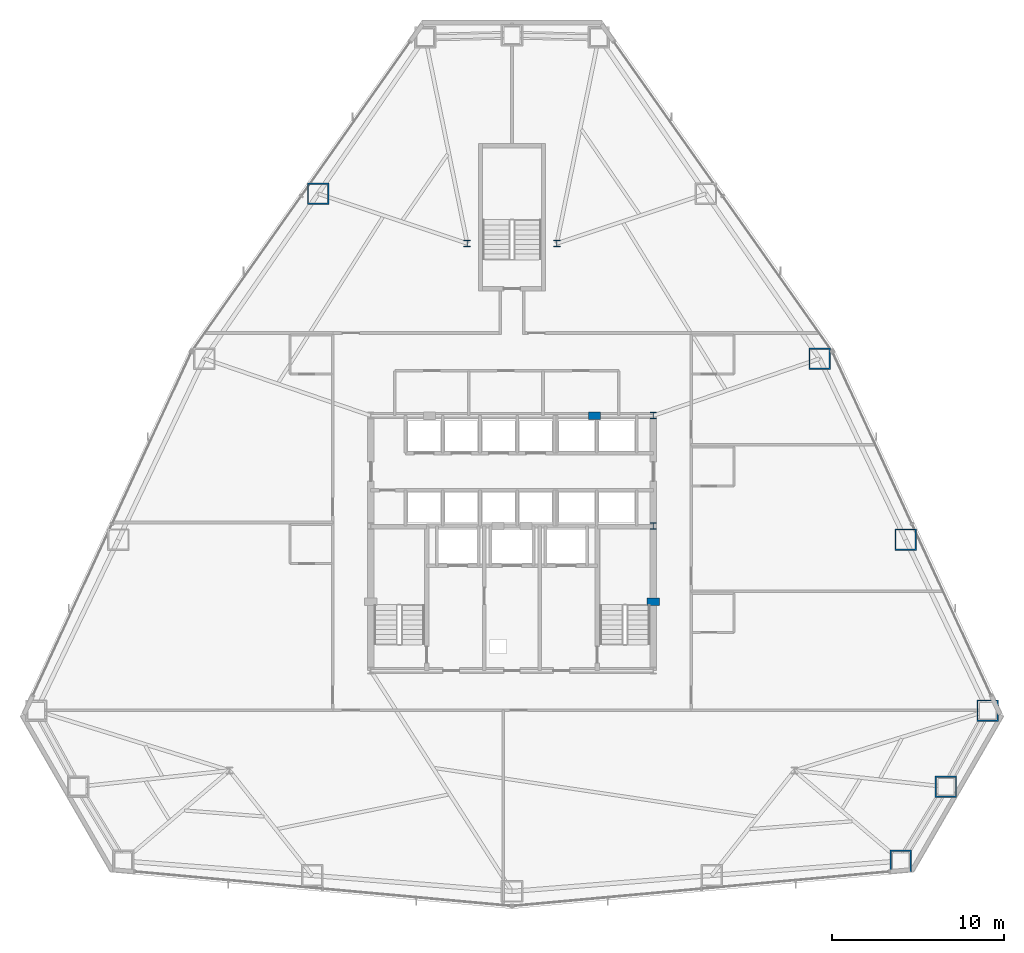
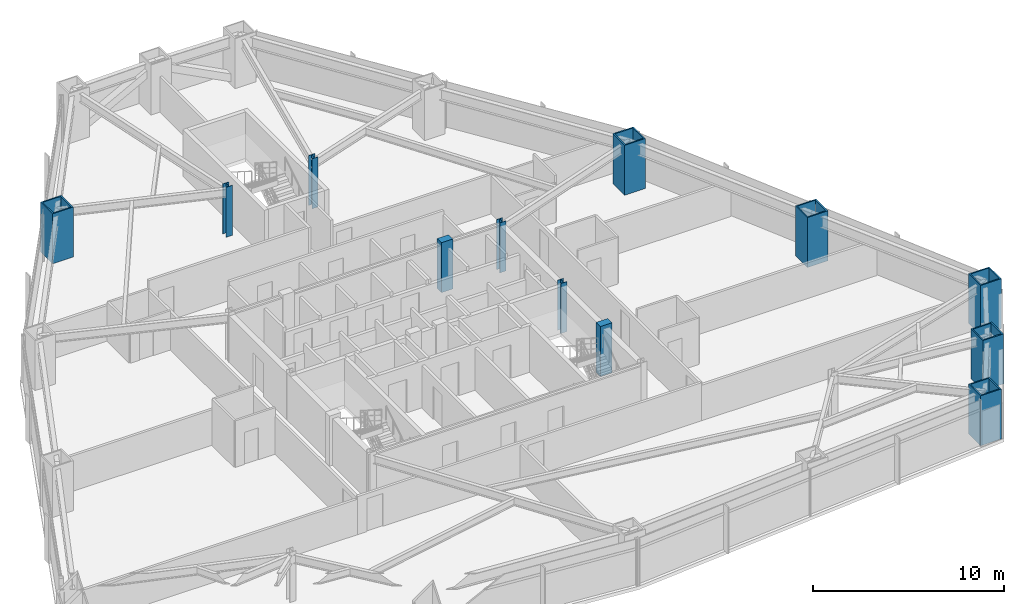
# One storey, part 2 of 12: 12 columns.
"""IFC4 building model written with IfcOpenShell, lengths in metres."""

from ifc_helpers import new_model, si_unit, direction, frame, origin, origin_2d, place, context, subcontext, project, spatial, rectangle, hollow_rectangle, i_section, extrude, material, material_profile, profile_set, type_object, element, save


model = new_model("IFC4")

# Units and contexts
model_context = context("Model", 3, precision=1e-05, world=origin(), true_north=direction((0.0, 1.0)))
body_context = subcontext(model_context, "Body", "Model", "MODEL_VIEW")
ifc_project = project(units=[si_unit("LENGTHUNIT", "METRE"), si_unit("AREAUNIT", "SQUARE_METRE"), si_unit("VOLUMEUNIT", "CUBIC_METRE"), si_unit("PLANEANGLEUNIT", "RADIAN"), si_unit("MASSUNIT", "GRAM", prefix="KILO")], contexts=[model_context])

# Site, building, storey
site_placement = place(None, origin())
site = spatial("IfcSite", under=ifc_project, at=site_placement, CompositionType="ELEMENT")
building_placement = place(site_placement, origin())
building = spatial("IfcBuilding", under=site, at=building_placement, Name="Varakhsha Concourse Tower", CompositionType="ELEMENT")
storey_placement = place(building_placement, frame((0.0, 0.0, 40.0)))
storey = spatial("IfcBuildingStorey", under=building, at=storey_placement, Name="L10", CompositionType="ELEMENT", Elevation=40.0)

# Columns
ifc_material_1 = material(Name="Structural Steel ASTM A992 Grade 50", Category="steel")
ifc_material_profile_1 = material_profile(ifc_material_1, i_section(OverallWidth=0.3740234375, OverallDepth=0.3720703125, WebThickness=0.01611328125, FlangeThickness=0.02587890625, at=origin_2d()), Name="W14X132")
ifc_profile_set_1 = profile_set([ifc_material_profile_1], Name="Structural Steel ASTM A992 Grade 50")
column_type_1 = type_object("IfcColumnType", Name="CL-CORE-W14X132", PredefinedType="COLUMN", material=ifc_profile_set_1)
for number, where, z_axis, x_axis, name in (
    (1, (48.199951171875, 24.800048828125, 0.0), (0.0, 0.0, 1.0), (1.0, 0.0, 0.0), "L10 Core Column CC-ME"),
    (2, (48.199951171875, 31.199951171875, 0.0), (0.0, 0.0, 1.0), (1.0, 0.0, 0.0), "L10 Core Column CC-NE"),
    (3, (37.39990234375, 41.199951171875, 0.0), (0.0, 0.0, 1.0), (1.0, 0.0, 0.0), "L10 Core Column NS-W"),
    (4, (42.60009765625, 41.199951171875, 0.0), (0.0, 0.0, 1.0), (1.0, 0.0, 0.0), "L10 Core Column NS-E"),
):
    element("IfcColumn", number, at=place(storey_placement, frame(where, z_axis=z_axis, x_axis=x_axis)), inside=storey, type_object=column_type_1, Name=name, PredefinedType="COLUMN", context=body_context, shape_type="SweptSolid", body=[
        extrude(i_section(OverallWidth=0.3740234375, OverallDepth=0.3720703125, WebThickness=0.01611328125, FlangeThickness=0.02587890625, at=origin_2d()), origin(), (0.0, 0.0, 1.0), 3.199951171875),
    ])
ifc_material_2 = material(Name="Concrete fc 65 MPa", Category="concrete")
ifc_material_profile_2 = material_profile(ifc_material_2, rectangle(XDim=0.699951171875, YDim=0.449951171875, at=origin_2d()), Name="RC 700x450")
ifc_profile_set_2 = profile_set([ifc_material_profile_2], Name="Concrete fc 65 MPa")
column_type_2 = type_object("IfcColumnType", Name="CL-PIL-700X450", PredefinedType="PILASTER", material=ifc_profile_set_2)
for number, where, z_axis, x_axis, name in (
    (5, (48.199951171875, 20.39990234375, 0.0), (0.0, 0.0, 1.0), (1.0, 0.0, 0.0), "L10 Core Boundary Pilaster PIL-E1"),
    (6, (44.800048828125, 31.199951171875, 0.0), (0.0, 0.0, 1.0), (1.0, 0.0, 0.0), "L10 Core Boundary Pilaster PIL-N2"),
):
    element("IfcColumn", number, at=place(storey_placement, frame(where, z_axis=z_axis, x_axis=x_axis)), inside=storey, type_object=column_type_2, Name=name, PredefinedType="PILASTER", context=body_context, shape_type="SweptSolid", body=[
        extrude(rectangle(XDim=0.699951171875, YDim=0.449951171875, at=origin_2d()), origin(), (0.0, 0.0, 1.0), 3.199951171875),
    ])
ifc_material_3 = material(Name="Structural Steel ASTM A572 Grade 50", Category="steel")
ifc_material_profile_3 = material_profile(ifc_material_3, hollow_rectangle(XDim=1.25, YDim=1.25, WallThickness=0.080078125, at=origin_2d()), Name="BOX 1250x1250x80")
ifc_profile_set_3 = profile_set([ifc_material_profile_3], Name="Structural Steel ASTM A572 Grade 50")
column_type_3 = type_object("IfcColumnType", Name="CL-TUBE-1250", PredefinedType="COLUMN", material=ifc_profile_set_3)
for number, where, z_axis, x_axis, name in (
    (7, (28.74609375, 44.084228515625, 0.0), (0.0, 0.0, 1.0), (1.0, 0.0, 0.0), "L10 Framed-Tube Column TC04"),
    (8, (62.569580078125, 5.3486328125, 0.0), (0.0, 0.0, 1.0), (1.0, 0.0, 0.0), "L10 Framed-Tube Column TC13"),
    (9, (65.19140625, 9.65576171875, 0.0), (0.0, 0.0, 1.0), (1.0, 0.0, 0.0), "L10 Framed-Tube Column TC14"),
    (10, (67.610595703125, 14.07958984375, 0.0), (0.0, 0.0, 1.0), (1.0, 0.0, 0.0), "L10 Framed-Tube Column TC15"),
    (11, (62.84716796875, 24.004150390625, 0.0), (0.0, 0.0, 1.0), (1.0, 0.0, 0.0), "L10 Framed-Tube Column TC16"),
    (12, (57.855224609375, 34.5087890625, 0.0), (0.0, 0.0, 1.0), (1.0, 0.0, 0.0), "L10 Framed-Tube Column TC17"),
):
    element("IfcColumn", number, at=place(storey_placement, frame(where, z_axis=z_axis, x_axis=x_axis)), inside=storey, type_object=column_type_3, Name=name, PredefinedType="COLUMN", context=body_context, shape_type="SweptSolid", body=[
        extrude(hollow_rectangle(XDim=1.25, YDim=1.25, WallThickness=0.080078125, at=origin_2d()), origin(), (0.0, 0.0, 1.0), 3.199951171875),
    ])

save(model, "model.ifc")
